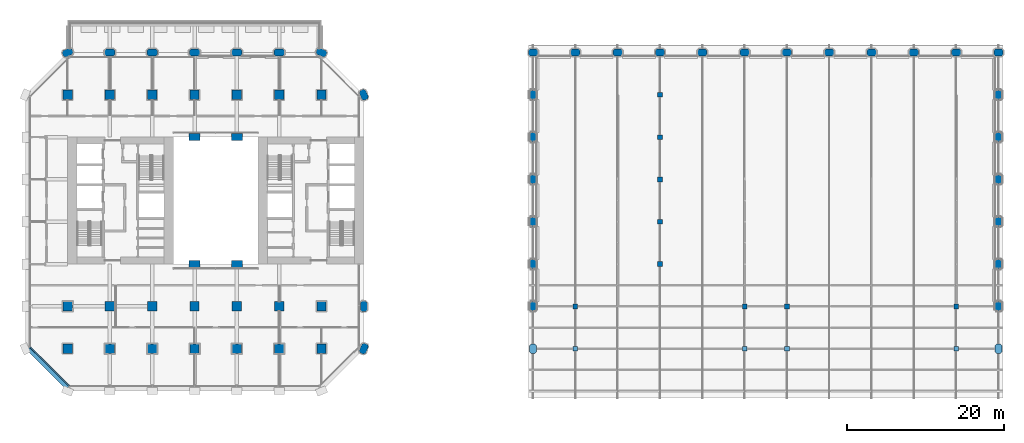
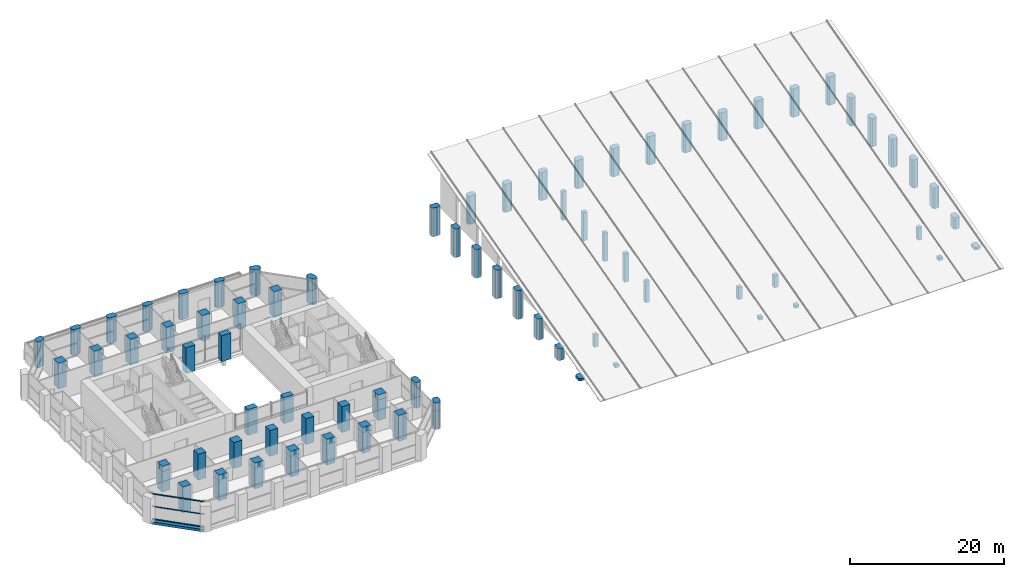
# One storey, part 1 of 23: 74 columns, 3 members, 1 beam, 1 element without a shape of its own.
"""IFC4 building model written with IfcOpenShell, lengths in metres."""

from ifc_helpers import new_model, si_unit, direction, frame, origin, origin_2d, place, context, subcontext, project, spatial, polyline, rectangle, outline, extrude, material, material_profile, profile_set, type_object, element, aggregate, save


model = new_model("IFC4")

# Units and contexts
model_context = context("Model", 3, precision=1e-05, world=origin(), true_north=direction((0.0, 1.0)))
body_context = subcontext(model_context, "Body", "Model", "MODEL_VIEW")
ifc_project = project(units=[si_unit("LENGTHUNIT", "METRE"), si_unit("AREAUNIT", "SQUARE_METRE"), si_unit("VOLUMEUNIT", "CUBIC_METRE"), si_unit("PLANEANGLEUNIT", "RADIAN"), si_unit("MASSUNIT", "GRAM", prefix="KILO")], contexts=[model_context])

# Site, building, storey
site_placement = place(None, origin())
site = spatial("IfcSite", under=ifc_project, at=site_placement, CompositionType="ELEMENT")
building_placement = place(site_placement, origin())
building = spatial("IfcBuilding", under=site, at=building_placement, Name="Tabaq Tower and Sports Hall", CompositionType="ELEMENT")
storey_placement = place(building_placement, frame((0.0, 0.0, 24.60009765625)))
storey = spatial("IfcBuildingStorey", under=building, at=storey_placement, Name="L04", CompositionType="ELEMENT", Elevation=24.60009765625)

# Columns
ifc_material_1 = material(Name="Concrete C50/60", Category="concrete")
ifc_material_profile_1 = material_profile(ifc_material_1, rectangle(XDim=0.60009765625, YDim=0.60009765625, at=origin_2d()), Name="RC 600x600")
ifc_profile_set_1 = profile_set([ifc_material_profile_1], Name="Concrete C50/60")
column_type_1 = type_object("IfcColumnType", Name="HALL COLUMN RC 600x600", PredefinedType="COLUMN", material=ifc_profile_set_1)
column_1_placement = place(storey_placement, frame((70.199951171875, 5.39990234375, 0.0), z_axis=(0.0, 0.0, 1.0), x_axis=(1.0, 0.0, 0.0)))
element("IfcColumn", 1, at=column_1_placement, inside=storey, type_object=column_type_1, Name="Column 14B L04", PredefinedType="COLUMN", context=body_context, shape_type="SweptSolid", body=[
    extrude(rectangle(XDim=0.60009765625, YDim=0.60009765625, at=origin_2d()), origin(), (0.0, 0.0, 1.0), 0.488525390625),
])
column_2_placement = place(storey_placement, frame((70.199951171875, 10.800048828125, 0.0), z_axis=(0.0, 0.0, 1.0), x_axis=(1.0, 0.0, 0.0)))
element("IfcColumn", 2, at=column_2_placement, inside=storey, type_object=column_type_1, Name="Column 14C L04", PredefinedType="COLUMN", context=body_context, shape_type="SweptSolid", body=[
    extrude(rectangle(XDim=0.60009765625, YDim=0.60009765625, at=origin_2d()), origin(), (0.0, 0.0, 1.0), 1.935546875),
])
column_3_placement = place(storey_placement, frame((81.0, 16.199951171875, 0.0), z_axis=(0.0, 0.0, 1.0), x_axis=(1.0, 0.0, 0.0)))
element("IfcColumn", 3, at=column_3_placement, inside=storey, type_object=column_type_1, Name="Column 16D L04", PredefinedType="COLUMN", context=body_context, shape_type="SweptSolid", body=[
    extrude(rectangle(XDim=0.60009765625, YDim=0.60009765625, at=origin_2d()), origin(), (0.0, 0.0, 1.0), 3.38232421875),
])
for number, where, z_axis, x_axis, name in (
    (4, (81.0, 21.60009765625, 0.0), (0.0, 0.0, 1.0), (1.0, 0.0, 0.0), "Column 16E L04"),
    (5, (81.0, 27.0, 0.0), (0.0, 0.0, 1.0), (1.0, 0.0, 0.0), "Column 16F L04"),
    (6, (81.0, 32.39990234375, 0.0), (0.0, 0.0, 1.0), (1.0, 0.0, 0.0), "Column 16G L04"),
    (7, (81.0, 37.800048828125, 0.0), (0.0, 0.0, 1.0), (1.0, 0.0, 0.0), "Column 16H L04"),
):
    element("IfcColumn", number, at=place(storey_placement, frame(where, z_axis=z_axis, x_axis=x_axis)), inside=storey, type_object=column_type_1, Name=name, PredefinedType="COLUMN", context=body_context, shape_type="SweptSolid", body=[
        extrude(rectangle(XDim=0.60009765625, YDim=0.60009765625, at=origin_2d()), origin(), (0.0, 0.0, 1.0), 4.5),
    ])
column_4_placement = place(storey_placement, frame((91.800048828125, 5.39990234375, 0.0), z_axis=(0.0, 0.0, 1.0), x_axis=(1.0, 0.0, 0.0)))
element("IfcColumn", 8, at=column_4_placement, inside=storey, type_object=column_type_1, Name="Column 18B L04", PredefinedType="COLUMN", context=body_context, shape_type="SweptSolid", body=[
    extrude(rectangle(XDim=0.60009765625, YDim=0.60009765625, at=origin_2d()), origin(), (0.0, 0.0, 1.0), 0.488525390625),
])
column_5_placement = place(storey_placement, frame((91.800048828125, 10.800048828125, 0.0), z_axis=(0.0, 0.0, 1.0), x_axis=(1.0, 0.0, 0.0)))
element("IfcColumn", 9, at=column_5_placement, inside=storey, type_object=column_type_1, Name="Column 18C L04", PredefinedType="COLUMN", context=body_context, shape_type="SweptSolid", body=[
    extrude(rectangle(XDim=0.60009765625, YDim=0.60009765625, at=origin_2d()), origin(), (0.0, 0.0, 1.0), 1.935546875),
])
column_6_placement = place(storey_placement, frame((97.199951171875, 5.39990234375, 0.0), z_axis=(0.0, 0.0, 1.0), x_axis=(1.0, 0.0, 0.0)))
element("IfcColumn", 10, at=column_6_placement, inside=storey, type_object=column_type_1, Name="Column 19B L04", PredefinedType="COLUMN", context=body_context, shape_type="SweptSolid", body=[
    extrude(rectangle(XDim=0.60009765625, YDim=0.60009765625, at=origin_2d()), origin(), (0.0, 0.0, 1.0), 0.488525390625),
])
column_7_placement = place(storey_placement, frame((97.199951171875, 10.800048828125, 0.0), z_axis=(0.0, 0.0, 1.0), x_axis=(1.0, 0.0, 0.0)))
element("IfcColumn", 11, at=column_7_placement, inside=storey, type_object=column_type_1, Name="Column 19C L04", PredefinedType="COLUMN", context=body_context, shape_type="SweptSolid", body=[
    extrude(rectangle(XDim=0.60009765625, YDim=0.60009765625, at=origin_2d()), origin(), (0.0, 0.0, 1.0), 1.935546875),
])
column_8_placement = place(storey_placement, frame((118.800048828125, 5.39990234375, 0.0), z_axis=(0.0, 0.0, 1.0), x_axis=(1.0, 0.0, 0.0)))
element("IfcColumn", 12, at=column_8_placement, inside=storey, type_object=column_type_1, Name="Column 23B L04", PredefinedType="COLUMN", context=body_context, shape_type="SweptSolid", body=[
    extrude(rectangle(XDim=0.60009765625, YDim=0.60009765625, at=origin_2d()), origin(), (0.0, 0.0, 1.0), 0.488525390625),
])
column_9_placement = place(storey_placement, frame((118.800048828125, 10.800048828125, 0.0), z_axis=(0.0, 0.0, 1.0), x_axis=(1.0, 0.0, 0.0)))
element("IfcColumn", 13, at=column_9_placement, inside=storey, type_object=column_type_1, Name="Column 23C L04", PredefinedType="COLUMN", context=body_context, shape_type="SweptSolid", body=[
    extrude(rectangle(XDim=0.60009765625, YDim=0.60009765625, at=origin_2d()), origin(), (0.0, 0.0, 1.0), 1.935546875),
])
ifc_material_2 = material(Name="Concrete C50/60", Category="concrete")
ifc_material_profile_2 = material_profile(ifc_material_2, outline(polyline([(-0.39990234375, -0.449951171875), (0.39990234375, -0.449951171875), (0.60009765625, -0.25), (0.60009765625, 0.25), (0.39990234375, 0.449951171875), (-0.39990234375, 0.449951171875), (-0.60009765625, 0.25), (-0.60009765625, -0.25), (-0.39990234375, -0.449951171875)])), Name="PIER 1200x900")
ifc_profile_set_2 = profile_set([ifc_material_profile_2], Name="Concrete C50/60")
column_type_2 = type_object("IfcColumnType", Name="HALL PIER RC 1200x900", PredefinedType="COLUMN", material=ifc_profile_set_2)
column_10_placement = place(storey_placement, frame((64.800048828125, 5.39990234375, 0.0), z_axis=(0.0, 0.0, 1.0), x_axis=(0.0, 1.0, 0.0)))
element("IfcColumn", 14, at=column_10_placement, inside=storey, type_object=column_type_2, Name="Pier 13B L04", PredefinedType="COLUMN", context=body_context, shape_type="SweptSolid", body=[
    extrude(outline(polyline([(-0.39990234375, -0.449951171875), (0.39990234375, -0.449951171875), (0.60009765625, -0.25), (0.60009765625, 0.25), (0.39990234375, 0.449951171875), (-0.39990234375, 0.449951171875), (-0.60009765625, 0.25), (-0.60009765625, -0.25), (-0.39990234375, -0.449951171875)])), origin(), (0.0, 0.0, 1.0), 0.408203125),
])
column_11_placement = place(storey_placement, frame((64.800048828125, 10.800048828125, 0.0), z_axis=(0.0, 0.0, 1.0), x_axis=(0.0, 1.0, 0.0)))
element("IfcColumn", 15, at=column_11_placement, inside=storey, type_object=column_type_2, Name="Pier 13C L04", PredefinedType="COLUMN", context=body_context, shape_type="SweptSolid", body=[
    extrude(outline(polyline([(-0.39990234375, -0.449951171875), (0.39990234375, -0.449951171875), (0.60009765625, -0.25), (0.60009765625, 0.25), (0.39990234375, 0.449951171875), (-0.39990234375, 0.449951171875), (-0.60009765625, 0.25), (-0.60009765625, -0.25), (-0.39990234375, -0.449951171875)])), origin(), (0.0, 0.0, 1.0), 1.855224609375),
])
column_12_placement = place(storey_placement, frame((64.800048828125, 16.199951171875, 0.0), z_axis=(0.0, 0.0, 1.0), x_axis=(0.0, 1.0, 0.0)))
element("IfcColumn", 16, at=column_12_placement, inside=storey, type_object=column_type_2, Name="Pier 13D L04", PredefinedType="COLUMN", context=body_context, shape_type="SweptSolid", body=[
    extrude(outline(polyline([(-0.39990234375, -0.449951171875), (0.39990234375, -0.449951171875), (0.60009765625, -0.25), (0.60009765625, 0.25), (0.39990234375, 0.449951171875), (-0.39990234375, 0.449951171875), (-0.60009765625, 0.25), (-0.60009765625, -0.25), (-0.39990234375, -0.449951171875)])), origin(), (0.0, 0.0, 1.0), 3.302001953125),
])
for number, where, z_axis, x_axis, name in (
    (17, (64.800048828125, 21.60009765625, 0.0), (0.0, 0.0, 1.0), (0.0, 1.0, 0.0), "Pier 13E L04"),
    (18, (64.800048828125, 27.0, 0.0), (0.0, 0.0, 1.0), (0.0, 1.0, 0.0), "Pier 13F L04"),
    (19, (64.800048828125, 32.39990234375, 0.0), (0.0, 0.0, 1.0), (0.0, 1.0, 0.0), "Pier 13G L04"),
    (20, (64.800048828125, 37.800048828125, 0.0), (0.0, 0.0, 1.0), (0.0, 1.0, 0.0), "Pier 13H L04"),
    (21, (64.800048828125, 43.199951171875, 0.0), (0.0, 0.0, 1.0), (1.0, 0.0, 0.0), "Pier 13I L04"),
    (22, (70.199951171875, 43.199951171875, 0.0), (0.0, 0.0, 1.0), (1.0, 0.0, 0.0), "Pier 14I L04"),
    (23, (75.60009765625, 43.199951171875, 0.0), (0.0, 0.0, 1.0), (1.0, 0.0, 0.0), "Pier 15I L04"),
    (24, (81.0, 43.199951171875, 0.0), (0.0, 0.0, 1.0), (1.0, 0.0, 0.0), "Pier 16I L04"),
    (25, (86.39990234375, 43.199951171875, 0.0), (0.0, 0.0, 1.0), (1.0, 0.0, 0.0), "Pier 17I L04"),
    (26, (91.800048828125, 43.199951171875, 0.0), (0.0, 0.0, 1.0), (1.0, 0.0, 0.0), "Pier 18I L04"),
    (27, (97.199951171875, 43.199951171875, 0.0), (0.0, 0.0, 1.0), (1.0, 0.0, 0.0), "Pier 19I L04"),
    (28, (102.60009765625, 43.199951171875, 0.0), (0.0, 0.0, 1.0), (1.0, 0.0, 0.0), "Pier 20I L04"),
    (29, (108.0, 43.199951171875, 0.0), (0.0, 0.0, 1.0), (1.0, 0.0, 0.0), "Pier 21I L04"),
    (30, (113.39990234375, 43.199951171875, 0.0), (0.0, 0.0, 1.0), (1.0, 0.0, 0.0), "Pier 22I L04"),
    (31, (118.800048828125, 43.199951171875, 0.0), (0.0, 0.0, 1.0), (1.0, 0.0, 0.0), "Pier 23I L04"),
):
    element("IfcColumn", number, at=place(storey_placement, frame(where, z_axis=z_axis, x_axis=x_axis)), inside=storey, type_object=column_type_2, Name=name, PredefinedType="COLUMN", context=body_context, shape_type="SweptSolid", body=[
        extrude(outline(polyline([(-0.39990234375, -0.449951171875), (0.39990234375, -0.449951171875), (0.60009765625, -0.25), (0.60009765625, 0.25), (0.39990234375, 0.449951171875), (-0.39990234375, 0.449951171875), (-0.60009765625, 0.25), (-0.60009765625, -0.25), (-0.39990234375, -0.449951171875)])), origin(), (0.0, 0.0, 1.0), 4.5),
    ])
column_13_placement = place(storey_placement, frame((124.199951171875, 5.39990234375, 0.0), z_axis=(0.0, 0.0, 1.0), x_axis=(0.0, 1.0, 0.0)))
element("IfcColumn", 32, at=column_13_placement, inside=storey, type_object=column_type_2, Name="Pier 24B L04", PredefinedType="COLUMN", context=body_context, shape_type="SweptSolid", body=[
    extrude(outline(polyline([(-0.39990234375, -0.449951171875), (0.39990234375, -0.449951171875), (0.60009765625, -0.25), (0.60009765625, 0.25), (0.39990234375, 0.449951171875), (-0.39990234375, 0.449951171875), (-0.60009765625, 0.25), (-0.60009765625, -0.25), (-0.39990234375, -0.449951171875)])), origin(), (0.0, 0.0, 1.0), 0.408203125),
])
column_14_placement = place(storey_placement, frame((124.199951171875, 10.800048828125, 0.0), z_axis=(0.0, 0.0, 1.0), x_axis=(0.0, 1.0, 0.0)))
element("IfcColumn", 33, at=column_14_placement, inside=storey, type_object=column_type_2, Name="Pier 24C L04", PredefinedType="COLUMN", context=body_context, shape_type="SweptSolid", body=[
    extrude(outline(polyline([(-0.39990234375, -0.449951171875), (0.39990234375, -0.449951171875), (0.60009765625, -0.25), (0.60009765625, 0.25), (0.39990234375, 0.449951171875), (-0.39990234375, 0.449951171875), (-0.60009765625, 0.25), (-0.60009765625, -0.25), (-0.39990234375, -0.449951171875)])), origin(), (0.0, 0.0, 1.0), 1.855224609375),
])
column_15_placement = place(storey_placement, frame((124.199951171875, 16.199951171875, 0.0), z_axis=(0.0, 0.0, 1.0), x_axis=(0.0, 1.0, 0.0)))
element("IfcColumn", 34, at=column_15_placement, inside=storey, type_object=column_type_2, Name="Pier 24D L04", PredefinedType="COLUMN", context=body_context, shape_type="SweptSolid", body=[
    extrude(outline(polyline([(-0.39990234375, -0.449951171875), (0.39990234375, -0.449951171875), (0.60009765625, -0.25), (0.60009765625, 0.25), (0.39990234375, 0.449951171875), (-0.39990234375, 0.449951171875), (-0.60009765625, 0.25), (-0.60009765625, -0.25), (-0.39990234375, -0.449951171875)])), origin(), (0.0, 0.0, 1.0), 3.302001953125),
])
for number, where, z_axis, x_axis, name in (
    (35, (124.199951171875, 21.60009765625, 0.0), (0.0, 0.0, 1.0), (0.0, 1.0, 0.0), "Pier 24E L04"),
    (36, (124.199951171875, 27.0, 0.0), (0.0, 0.0, 1.0), (0.0, 1.0, 0.0), "Pier 24F L04"),
    (37, (124.199951171875, 32.39990234375, 0.0), (0.0, 0.0, 1.0), (0.0, 1.0, 0.0), "Pier 24G L04"),
    (38, (124.199951171875, 37.800048828125, 0.0), (0.0, 0.0, 1.0), (0.0, 1.0, 0.0), "Pier 24H L04"),
    (39, (124.199951171875, 43.199951171875, 0.0), (0.0, 0.0, 1.0), (1.0, 0.0, 0.0), "Pier 24I L04"),
):
    element("IfcColumn", number, at=place(storey_placement, frame(where, z_axis=z_axis, x_axis=x_axis)), inside=storey, type_object=column_type_2, Name=name, PredefinedType="COLUMN", context=body_context, shape_type="SweptSolid", body=[
        extrude(outline(polyline([(-0.39990234375, -0.449951171875), (0.39990234375, -0.449951171875), (0.60009765625, -0.25), (0.60009765625, 0.25), (0.39990234375, 0.449951171875), (-0.39990234375, 0.449951171875), (-0.60009765625, 0.25), (-0.60009765625, -0.25), (-0.39990234375, -0.449951171875)])), origin(), (0.0, 0.0, 1.0), 4.5),
    ])
ifc_material_3 = material(Name="Concrete C60/75", Category="concrete")
ifc_material_profile_3 = material_profile(ifc_material_3, rectangle(XDim=1.39990234375, YDim=0.89990234375, at=origin_2d()), Name="ATRIUM COLUMN 1400x900")
ifc_profile_set_3 = profile_set([ifc_material_profile_3], Name="Concrete C60/75")
column_type_3 = type_object("IfcColumnType", Name="RC COLUMN ATRIUM COLUMN 1400x900 C60/75", PredefinedType="COLUMN", material=ifc_profile_set_3)
for number, where, z_axis, x_axis, name in (
    (40, (21.60009765625, 16.199951171875, 0.0), (0.0, 0.0, 1.0), (1.0, 0.0, 0.0), "Atrium Column 5/D L04"),
    (41, (27.0, 16.199951171875, 0.0), (0.0, 0.0, 1.0), (1.0, 0.0, 0.0), "Atrium Column 6/D L04"),
    (42, (21.60009765625, 32.39990234375, 0.0), (0.0, 0.0, 1.0), (1.0, 0.0, 0.0), "Atrium Column 5/G L04"),
    (43, (27.0, 32.39990234375, 0.0), (0.0, 0.0, 1.0), (1.0, 0.0, 0.0), "Atrium Column 6/G L04"),
):
    element("IfcColumn", number, at=place(storey_placement, frame(where, z_axis=z_axis, x_axis=x_axis)), inside=storey, type_object=column_type_3, Name=name, PredefinedType="COLUMN", context=body_context, shape_type="SweptSolid", body=[
        extrude(rectangle(XDim=1.39990234375, YDim=0.89990234375, at=origin_2d()), origin(), (0.0, 0.0, 1.0), 4.099853515625),
    ])
ifc_material_4 = material(Name="Concrete C60/75", Category="concrete")
ifc_material_profile_4 = material_profile(ifc_material_4, rectangle(XDim=1.199951171875, YDim=1.199951171875, at=origin_2d()), Name="COLUMN 1200x1200")
ifc_profile_set_4 = profile_set([ifc_material_profile_4], Name="Concrete C60/75")
column_type_4 = type_object("IfcColumnType", Name="RC COLUMN COLUMN 1200x1200 C60/75", PredefinedType="COLUMN", material=ifc_profile_set_4)
for number, where, z_axis, x_axis, name in (
    (44, (5.39990234375, 5.39990234375, 0.0), (0.0, 0.0, 1.0), (1.0, 0.0, 0.0), "Column 2/B L04"),
    (45, (10.800048828125, 5.39990234375, 0.0), (0.0, 0.0, 1.0), (1.0, 0.0, 0.0), "Column 3/B L04"),
    (46, (16.199951171875, 5.39990234375, 0.0), (0.0, 0.0, 1.0), (1.0, 0.0, 0.0), "Column 4/B L04"),
    (47, (21.60009765625, 5.39990234375, 0.0), (0.0, 0.0, 1.0), (1.0, 0.0, 0.0), "Column 5/B L04"),
    (48, (27.0, 5.39990234375, 0.0), (0.0, 0.0, 1.0), (1.0, 0.0, 0.0), "Column 6/B L04"),
    (49, (32.39990234375, 5.39990234375, 0.0), (0.0, 0.0, 1.0), (1.0, 0.0, 0.0), "Column 7/B L04"),
    (50, (37.800048828125, 5.39990234375, 0.0), (0.0, 0.0, 1.0), (1.0, 0.0, 0.0), "Column 8/B L04"),
    (51, (5.39990234375, 10.800048828125, 0.0), (0.0, 0.0, 1.0), (1.0, 0.0, 0.0), "Column 2/C L04"),
    (52, (10.800048828125, 10.800048828125, 0.0), (0.0, 0.0, 1.0), (1.0, 0.0, 0.0), "Column 3/C L04"),
    (53, (16.199951171875, 10.800048828125, 0.0), (0.0, 0.0, 1.0), (1.0, 0.0, 0.0), "Column 4/C L04"),
    (54, (21.60009765625, 10.800048828125, 0.0), (0.0, 0.0, 1.0), (1.0, 0.0, 0.0), "Column 5/C L04"),
    (55, (27.0, 10.800048828125, 0.0), (0.0, 0.0, 1.0), (1.0, 0.0, 0.0), "Column 6/C L04"),
    (56, (32.39990234375, 10.800048828125, 0.0), (0.0, 0.0, 1.0), (1.0, 0.0, 0.0), "Column 7/C L04"),
    (57, (37.800048828125, 10.800048828125, 0.0), (0.0, 0.0, 1.0), (1.0, 0.0, 0.0), "Column 8/C L04"),
    (58, (5.39990234375, 37.800048828125, 0.0), (0.0, 0.0, 1.0), (1.0, 0.0, 0.0), "Column 2/H L04"),
    (59, (10.800048828125, 37.800048828125, 0.0), (0.0, 0.0, 1.0), (1.0, 0.0, 0.0), "Column 3/H L04"),
    (60, (16.199951171875, 37.800048828125, 0.0), (0.0, 0.0, 1.0), (1.0, 0.0, 0.0), "Column 4/H L04"),
    (61, (21.60009765625, 37.800048828125, 0.0), (0.0, 0.0, 1.0), (1.0, 0.0, 0.0), "Column 5/H L04"),
    (62, (27.0, 37.800048828125, 0.0), (0.0, 0.0, 1.0), (1.0, 0.0, 0.0), "Column 6/H L04"),
    (63, (32.39990234375, 37.800048828125, 0.0), (0.0, 0.0, 1.0), (1.0, 0.0, 0.0), "Column 7/H L04"),
    (64, (37.800048828125, 37.800048828125, 0.0), (0.0, 0.0, 1.0), (1.0, 0.0, 0.0), "Column 8/H L04"),
):
    element("IfcColumn", number, at=place(storey_placement, frame(where, z_axis=z_axis, x_axis=x_axis)), inside=storey, type_object=column_type_4, Name=name, PredefinedType="COLUMN", context=body_context, shape_type="SweptSolid", body=[
        extrude(rectangle(XDim=1.199951171875, YDim=1.199951171875, at=origin_2d()), origin(), (0.0, 0.0, 1.0), 4.099853515625),
    ])
ifc_material_5 = material(Name="Concrete C60/75", Category="concrete")
ifc_material_profile_5 = material_profile(ifc_material_5, outline(polyline([(-0.449951171875, -0.449951171875), (0.449951171875, -0.449951171875), (0.675048828125, -0.22509765625), (0.675048828125, 0.22509765625), (0.449951171875, 0.449951171875), (-0.449951171875, 0.449951171875), (-0.675048828125, 0.22509765625), (-0.675048828125, -0.22509765625), (-0.449951171875, -0.449951171875)])), Name="PIER 1350x900")
ifc_profile_set_5 = profile_set([ifc_material_profile_5], Name="Concrete C60/75")
column_type_5 = type_object("IfcColumnType", Name="RC COLUMN PIER 1350x900 C60/75", PredefinedType="COLUMN", material=ifc_profile_set_5)
for number, where, z_axis, x_axis, name in (
    (65, (43.199951171875, 5.39990234375, 0.0), (0.0, 0.0, 1.0), (0.382683432365, 0.923879532511, 0.0), "Pier 9/B L04"),
    (66, (43.199951171875, 10.800048828125, 0.0), (0.0, 0.0, 1.0), (0.0, 1.0, 0.0), "Pier 9/C L04"),
    (67, (43.199951171875, 37.800048828125, 0.0), (0.0, 0.0, 1.0), (-0.382683432365, 0.923879532511, 0.0), "Pier 9/H L04"),
    (68, (5.39990234375, 43.199951171875, 0.0), (0.0, 0.0, 1.0), (0.923879532511, 0.382683432365, 0.0), "Pier 2/I L04"),
    (69, (10.800048828125, 43.199951171875, 0.0), (0.0, 0.0, 1.0), (1.0, 0.0, 0.0), "Pier 3/I L04"),
    (70, (16.199951171875, 43.199951171875, 0.0), (0.0, 0.0, 1.0), (1.0, 0.0, 0.0), "Pier 4/I L04"),
    (71, (21.60009765625, 43.199951171875, 0.0), (0.0, 0.0, 1.0), (1.0, 0.0, 0.0), "Pier 5/I L04"),
    (72, (27.0, 43.199951171875, 0.0), (0.0, 0.0, 1.0), (1.0, 0.0, 0.0), "Pier 6/I L04"),
    (73, (32.39990234375, 43.199951171875, 0.0), (0.0, 0.0, 1.0), (1.0, 0.0, 0.0), "Pier 7/I L04"),
    (74, (37.800048828125, 43.199951171875, 0.0), (0.0, 0.0, 1.0), (-0.923879532511, 0.382683432365, 0.0), "Pier 8/I L04"),
):
    element("IfcColumn", number, at=place(storey_placement, frame(where, z_axis=z_axis, x_axis=x_axis)), inside=storey, type_object=column_type_5, Name=name, PredefinedType="COLUMN", context=body_context, shape_type="SweptSolid", body=[
        extrude(outline(polyline([(-0.449951171875, -0.449951171875), (0.449951171875, -0.449951171875), (0.675048828125, -0.22509765625), (0.675048828125, 0.22509765625), (0.449951171875, 0.449951171875), (-0.449951171875, 0.449951171875), (-0.675048828125, 0.22509765625), (-0.675048828125, -0.22509765625), (-0.449951171875, -0.449951171875)])), origin(), (0.0, 0.0, 1.0), 4.099853515625),
    ])

# Curtain wall, members
ifc_material_6 = material(Name="Aluminium alloy 6063-T6 framed glazing", Category="aluminium")
curtain_wall_type = type_object("IfcCurtainWallType", Name="CW7 curtain wall", PredefinedType="USERDEFINED", material=ifc_material_6)
curtain_wall_placement = place(storey_placement, origin())
curtain_wall = element("IfcCurtainWall", 75, at=curtain_wall_placement, inside=storey, type_object=curtain_wall_type, Name="Podium Wall L04 SW", ObjectType="PODIUM WALL", PredefinedType="USERDEFINED")
ifc_material_7 = material(Name="Aluminium alloy 6063-T6", Category="aluminium")
ifc_material_profile_6 = material_profile(ifc_material_7, rectangle(XDim=0.139892578125, YDim=0.06494140625, at=origin_2d()), Name="TRANSOM 140x65")
ifc_profile_set_6 = profile_set([ifc_material_profile_6], Name="Aluminium alloy 6063-T6")
member_type = type_object("IfcMemberType", Name="CW7 transom 140x65", PredefinedType="USERDEFINED", material=ifc_profile_set_6)
member_1_placement = place(storey_placement, frame((0.64599609375, 5.6025390625, 0.06982421875), z_axis=(0.707106781187, -0.707106781187, 0.0), x_axis=(0.707106781187, 0.707106781187, 0.0)))
member_1 = element("IfcMember", 76, at=member_1_placement, type_object=member_type, Name="CW7 transom 1.1", ObjectType="TRANSOM", PredefinedType="USERDEFINED", context=body_context, shape_type="SweptSolid", body=[
    extrude(rectangle(XDim=0.139892578125, YDim=0.06494140625, at=origin_2d()), origin(), (0.0, 0.0, 1.0), 7.009521484375),
])
member_2_placement = place(storey_placement, frame((0.64599609375, 5.6025390625, 2.0498046875), z_axis=(0.707106781187, -0.707106781187, 0.0), x_axis=(0.707106781187, 0.707106781187, 0.0)))
member_2 = element("IfcMember", 77, at=member_2_placement, type_object=member_type, Name="CW7 transom 1.2", ObjectType="TRANSOM", PredefinedType="USERDEFINED", context=body_context, shape_type="SweptSolid", body=[
    extrude(rectangle(XDim=0.139892578125, YDim=0.06494140625, at=origin_2d()), origin(), (0.0, 0.0, 1.0), 7.009521484375),
])
member_3_placement = place(storey_placement, frame((0.64599609375, 5.6025390625, 4.02978515625), z_axis=(0.707106781187, -0.707106781187, 0.0), x_axis=(0.707106781187, 0.707106781187, 0.0)))
member_3 = element("IfcMember", 78, at=member_3_placement, type_object=member_type, Name="CW7 transom 1.3", ObjectType="TRANSOM", PredefinedType="USERDEFINED", context=body_context, shape_type="SweptSolid", body=[
    extrude(rectangle(XDim=0.139892578125, YDim=0.06494140625, at=origin_2d()), origin(), (0.0, 0.0, 1.0), 7.009521484375),
])
aggregate(curtain_wall, [member_1, member_2, member_3])

# Beam
ifc_material_8 = material(Name="Concrete C40/50", Category="concrete")
ifc_material_profile_7 = material_profile(ifc_material_8, rectangle(XDim=0.60009765625, YDim=0.39990234375, at=origin_2d()), Name="EB 600x400")
ifc_profile_set_7 = profile_set([ifc_material_profile_7], Name="Concrete C40/50")
beam_type = type_object("IfcBeamType", Name="PT EDGE BEAM EB 600x400 C40/50", PredefinedType="SPANDREL", material=ifc_profile_set_7)
beam_placement = place(storey_placement, frame((0.42333984375, 5.401123046875, -0.2001953125), z_axis=(0.707106781187, -0.707106781187, 0.0), x_axis=(0.707106781187, 0.707106781187, 0.0)))
element("IfcBeam", 79, at=beam_placement, inside=storey, type_object=beam_type, Name="Edge Beam L04 5", PredefinedType="SPANDREL", context=body_context, shape_type="SweptSolid", body=[
    extrude(rectangle(XDim=0.60009765625, YDim=0.39990234375, at=origin_2d()), origin(), (0.0, 0.0, 1.0), 7.03955078125),
])

save(model, "model.ifc")
